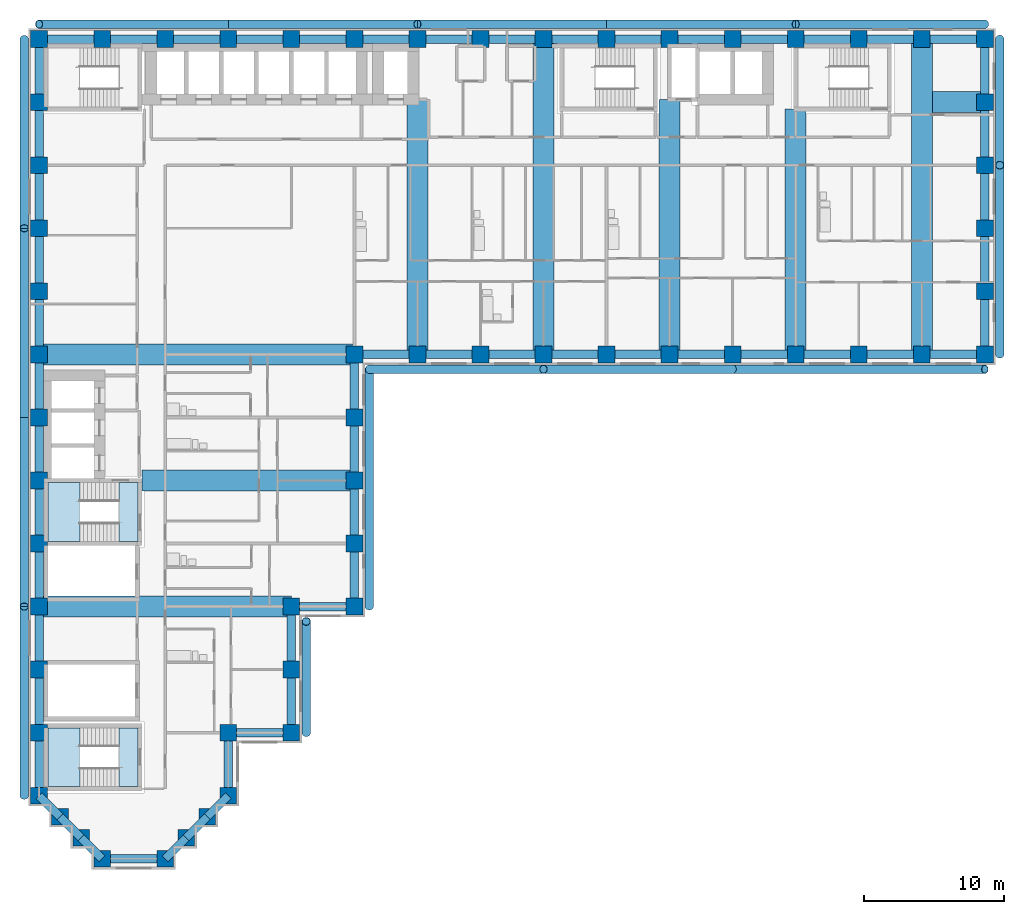
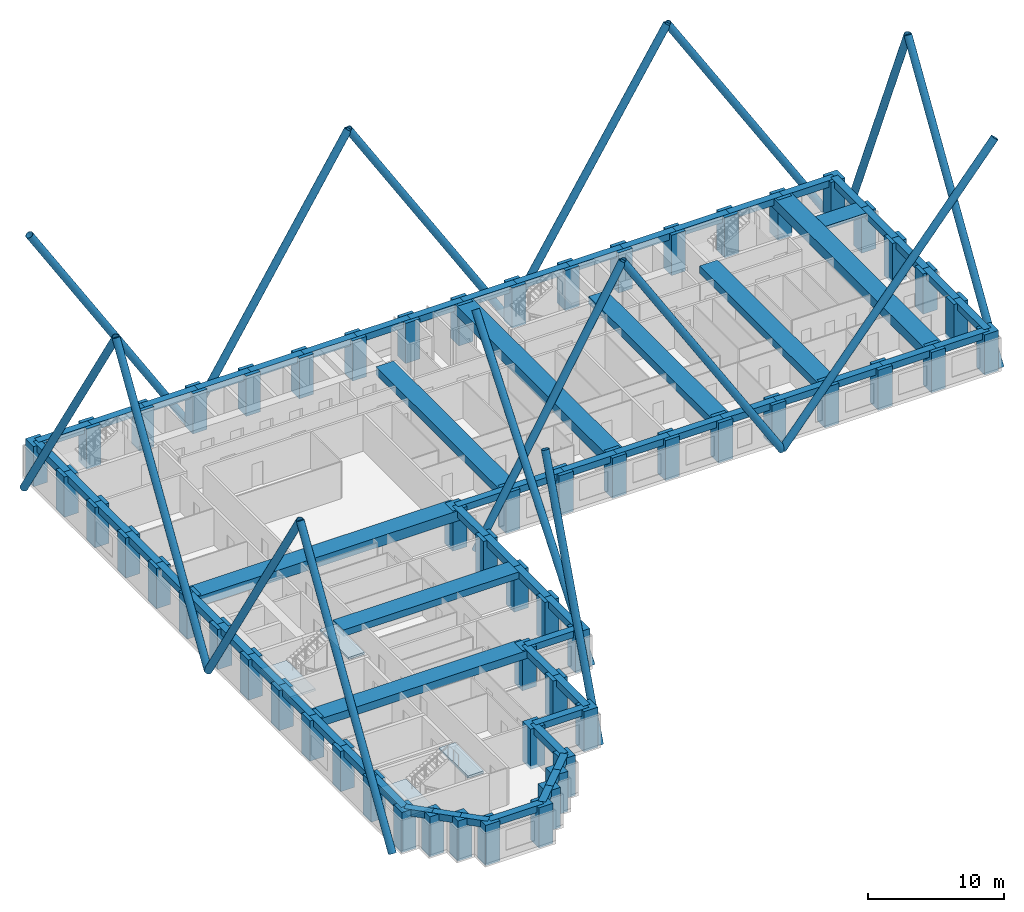
# One storey, part 1 of 13: 67 beams, 58 columns, 16 members, 4 slabs, 2 elements without a shape of their own.
"""IFC4 building model written with IfcOpenShell, lengths in metres."""

from ifc_helpers import new_model, si_unit, direction, frame, origin, origin_2d, place, context, subcontext, project, spatial, polyline, rectangle, hollow_circle, outline, extrude, material, layer, layer_set, material_profile, profile_set, type_object, element, aggregate, save


model = new_model("IFC4")

# Units and contexts
model_context = context("Model", 3, precision=1e-05, world=origin(), true_north=direction((0.0, 1.0)))
body_context = subcontext(model_context, "Body", "Model", "MODEL_VIEW")
ifc_project = project(units=[si_unit("LENGTHUNIT", "METRE"), si_unit("AREAUNIT", "SQUARE_METRE"), si_unit("VOLUMEUNIT", "CUBIC_METRE"), si_unit("PLANEANGLEUNIT", "RADIAN"), si_unit("MASSUNIT", "GRAM", prefix="KILO")], contexts=[model_context])

# Site, building, storey
site_placement = place(None, origin())
site = spatial("IfcSite", under=ifc_project, at=site_placement, CompositionType="ELEMENT")
building_placement = place(site_placement, origin())
building = spatial("IfcBuilding", under=site, at=building_placement, Name="Firuza Court", CompositionType="ELEMENT")
storey_placement = place(building_placement, frame((0.0, 0.0, 50.60009765625)))
storey = spatial("IfcBuildingStorey", under=building, at=storey_placement, Name="L11", CompositionType="ELEMENT", Elevation=50.60009765625)

# Columns
ifc_material_1 = material(Name="Concrete C70/85", Category="concrete")
ifc_material_profile_1 = material_profile(ifc_material_1, rectangle(XDim=1.199951171875, YDim=1.199951171875, at=origin_2d()), Name="RC 1200x1200")
ifc_profile_set_1 = profile_set([ifc_material_profile_1], Name="Concrete C70/85")
column_type = type_object("IfcColumnType", Name="Tube column RC 1200x1200 C70/85", PredefinedType="COLUMN", material=ifc_profile_set_1)
for number, where, z_axis, x_axis, name in (
    (1, (4.5, 0.0, -0.300048828125), (0.0, 0.0, 1.0), (1.0, 0.0, 0.0), "Column C-2D L11"),
    (2, (9.0, 0.0, -0.300048828125), (0.0, 0.0, 1.0), (1.0, 0.0, 0.0), "Column C-3D L11"),
    (3, (3.0, 1.5, -0.300048828125), (0.0, 0.0, 1.0), (1.0, 0.0, 0.0), "Column C-SA1 L11"),
    (4, (10.5, 1.5, -0.300048828125), (0.0, 0.0, 1.0), (1.0, 0.0, 0.0), "Column C-SA2 L11"),
    (5, (1.5, 3.0, -0.300048828125), (0.0, 0.0, 1.0), (1.0, 0.0, 0.0), "Column C-SA3 L11"),
    (6, (12.0, 3.0, -0.300048828125), (0.0, 0.0, 1.0), (1.0, 0.0, 0.0), "Column C-SA4 L11"),
    (7, (0.0, 4.5, -0.300048828125), (0.0, 0.0, 1.0), (1.0, 0.0, 0.0), "Column C-1E L11"),
    (8, (13.5, 4.5, -0.300048828125), (0.0, 0.0, 1.0), (1.0, 0.0, 0.0), "Column C-4E L11"),
    (9, (0.0, 9.0, -0.300048828125), (0.0, 0.0, 1.0), (1.0, 0.0, 0.0), "Column C-1F L11"),
    (10, (13.5, 9.0, -0.300048828125), (0.0, 0.0, 1.0), (1.0, 0.0, 0.0), "Column C-4F L11"),
    (11, (18.0, 9.0, -0.300048828125), (0.0, 0.0, 1.0), (1.0, 0.0, 0.0), "Column C-5F L11"),
    (12, (0.0, 13.5, -0.300048828125), (0.0, 0.0, 1.0), (1.0, 0.0, 0.0), "Column C-1G L11"),
    (13, (18.0, 13.5, -0.300048828125), (0.0, 0.0, 1.0), (1.0, 0.0, 0.0), "Column C-5G L11"),
    (14, (0.0, 18.0, -0.300048828125), (0.0, 0.0, 1.0), (1.0, 0.0, 0.0), "Column C-1H L11"),
    (15, (18.0, 18.0, -0.300048828125), (0.0, 0.0, 1.0), (1.0, 0.0, 0.0), "Column C-5H L11"),
    (16, (22.5, 18.0, -0.300048828125), (0.0, 0.0, 1.0), (1.0, 0.0, 0.0), "Column C-6H L11"),
    (17, (0.0, 22.5, -0.300048828125), (0.0, 0.0, 1.0), (1.0, 0.0, 0.0), "Column C-1J L11"),
    (18, (22.5, 22.5, -0.300048828125), (0.0, 0.0, 1.0), (1.0, 0.0, 0.0), "Column C-6J L11"),
    (19, (0.0, 27.0, -0.300048828125), (0.0, 0.0, 1.0), (1.0, 0.0, 0.0), "Column C-1K L11"),
    (20, (22.5, 27.0, -0.300048828125), (0.0, 0.0, 1.0), (1.0, 0.0, 0.0), "Column C-6K L11"),
    (21, (0.0, 31.5, -0.300048828125), (0.0, 0.0, 1.0), (1.0, 0.0, 0.0), "Column C-1L L11"),
    (22, (22.5, 31.5, -0.300048828125), (0.0, 0.0, 1.0), (1.0, 0.0, 0.0), "Column C-6L L11"),
    (23, (0.0, 36.0, -0.300048828125), (0.0, 0.0, 1.0), (1.0, 0.0, 0.0), "Column C-1M L11"),
    (24, (22.5, 36.0, -0.300048828125), (0.0, 0.0, 1.0), (1.0, 0.0, 0.0), "Column C-6M L11"),
    (25, (27.0, 36.0, -0.300048828125), (0.0, 0.0, 1.0), (1.0, 0.0, 0.0), "Column C-7M L11"),
    (26, (31.5, 36.0, -0.300048828125), (0.0, 0.0, 1.0), (1.0, 0.0, 0.0), "Column C-8M L11"),
    (27, (36.0, 36.0, -0.300048828125), (0.0, 0.0, 1.0), (1.0, 0.0, 0.0), "Column C-9M L11"),
    (28, (40.5, 36.0, -0.300048828125), (0.0, 0.0, 1.0), (1.0, 0.0, 0.0), "Column C-10M L11"),
    (29, (45.0, 36.0, -0.300048828125), (0.0, 0.0, 1.0), (1.0, 0.0, 0.0), "Column C-11M L11"),
    (30, (49.5, 36.0, -0.300048828125), (0.0, 0.0, 1.0), (1.0, 0.0, 0.0), "Column C-12M L11"),
    (31, (54.0, 36.0, -0.300048828125), (0.0, 0.0, 1.0), (1.0, 0.0, 0.0), "Column C-13M L11"),
    (32, (58.5, 36.0, -0.300048828125), (0.0, 0.0, 1.0), (1.0, 0.0, 0.0), "Column C-14M L11"),
    (33, (63.0, 36.0, -0.300048828125), (0.0, 0.0, 1.0), (1.0, 0.0, 0.0), "Column C-15M L11"),
    (34, (67.5, 36.0, -0.300048828125), (0.0, 0.0, 1.0), (1.0, 0.0, 0.0), "Column C-16M L11"),
    (35, (0.0, 40.5, -0.300048828125), (0.0, 0.0, 1.0), (1.0, 0.0, 0.0), "Column C-1N L11"),
    (36, (67.5, 40.5, -0.300048828125), (0.0, 0.0, 1.0), (1.0, 0.0, 0.0), "Column C-16N L11"),
    (37, (0.0, 45.0, -0.300048828125), (0.0, 0.0, 1.0), (1.0, 0.0, 0.0), "Column C-1P L11"),
    (38, (67.5, 45.0, -0.300048828125), (0.0, 0.0, 1.0), (1.0, 0.0, 0.0), "Column C-16P L11"),
    (39, (0.0, 49.5, -0.300048828125), (0.0, 0.0, 1.0), (1.0, 0.0, 0.0), "Column C-1Q L11"),
    (40, (67.5, 49.5, -0.300048828125), (0.0, 0.0, 1.0), (1.0, 0.0, 0.0), "Column C-16Q L11"),
    (41, (0.0, 54.0, -0.300048828125), (0.0, 0.0, 1.0), (1.0, 0.0, 0.0), "Column C-1R L11"),
    (42, (67.5, 54.0, -0.300048828125), (0.0, 0.0, 1.0), (1.0, 0.0, 0.0), "Column C-16R L11"),
    (43, (0.0, 58.5, -0.300048828125), (0.0, 0.0, 1.0), (1.0, 0.0, 0.0), "Column C-1S L11"),
    (44, (4.5, 58.5, -0.300048828125), (0.0, 0.0, 1.0), (1.0, 0.0, 0.0), "Column C-2S L11"),
    (45, (9.0, 58.5, -0.300048828125), (0.0, 0.0, 1.0), (1.0, 0.0, 0.0), "Column C-3S L11"),
    (46, (13.5, 58.5, -0.300048828125), (0.0, 0.0, 1.0), (1.0, 0.0, 0.0), "Column C-4S L11"),
    (47, (18.0, 58.5, -0.300048828125), (0.0, 0.0, 1.0), (1.0, 0.0, 0.0), "Column C-5S L11"),
    (48, (22.5, 58.5, -0.300048828125), (0.0, 0.0, 1.0), (1.0, 0.0, 0.0), "Column C-6S L11"),
    (49, (27.0, 58.5, -0.300048828125), (0.0, 0.0, 1.0), (1.0, 0.0, 0.0), "Column C-7S L11"),
    (50, (31.5, 58.5, -0.300048828125), (0.0, 0.0, 1.0), (1.0, 0.0, 0.0), "Column C-8S L11"),
    (51, (36.0, 58.5, -0.300048828125), (0.0, 0.0, 1.0), (1.0, 0.0, 0.0), "Column C-9S L11"),
    (52, (40.5, 58.5, -0.300048828125), (0.0, 0.0, 1.0), (1.0, 0.0, 0.0), "Column C-10S L11"),
    (53, (45.0, 58.5, -0.300048828125), (0.0, 0.0, 1.0), (1.0, 0.0, 0.0), "Column C-11S L11"),
    (54, (49.5, 58.5, -0.300048828125), (0.0, 0.0, 1.0), (1.0, 0.0, 0.0), "Column C-12S L11"),
    (55, (54.0, 58.5, -0.300048828125), (0.0, 0.0, 1.0), (1.0, 0.0, 0.0), "Column C-13S L11"),
    (56, (58.5, 58.5, -0.300048828125), (0.0, 0.0, 1.0), (1.0, 0.0, 0.0), "Column C-14S L11"),
    (57, (63.0, 58.5, -0.300048828125), (0.0, 0.0, 1.0), (1.0, 0.0, 0.0), "Column C-15S L11"),
    (58, (67.5, 58.5, -0.300048828125), (0.0, 0.0, 1.0), (1.0, 0.0, 0.0), "Column C-16S L11"),
):
    element("IfcColumn", number, at=place(storey_placement, frame(where, z_axis=z_axis, x_axis=x_axis)), inside=storey, type_object=column_type, Name=name, PredefinedType="COLUMN", context=body_context, shape_type="SweptSolid", body=[
        extrude(rectangle(XDim=1.199951171875, YDim=1.199951171875, at=origin_2d()), origin(), (0.0, 0.0, 1.0), 3.599853515625),
    ])

# Beams
ifc_material_2 = material(Name="Concrete C40/50", Category="concrete")
ifc_material_profile_2 = material_profile(ifc_material_2, rectangle(XDim=1.5, YDim=0.300048828125, at=origin_2d()), Name="RC 1500x300")
ifc_profile_set_2 = profile_set([ifc_material_profile_2], Name="Concrete C40/50")
beam_type_1 = type_object("IfcBeamType", Name="Band beam RC 1500x300 C40/50", PredefinedType="BEAM", material=ifc_profile_set_2)
beam_1_placement = place(storey_placement, frame((67.5, 54.0, 3.14990234375), z_axis=(-1.0, 0.0, 0.0), x_axis=(0.0, -1.0, 0.0)))
element("IfcBeam", 59, at=beam_1_placement, inside=storey, type_object=beam_type_1, Name="Band beam FB6 level L12", PredefinedType="BEAM", context=body_context, shape_type="SweptSolid", body=[
    extrude(rectangle(XDim=1.5, YDim=0.300048828125, at=origin_2d()), origin(), (0.0, 0.0, 1.0), 3.75),
])
ifc_material_3 = material(Name="Concrete C40/50", Category="concrete")
ifc_material_profile_3 = material_profile(ifc_material_3, rectangle(XDim=1.5, YDim=0.60009765625, at=origin_2d()), Name="RC 1500x600")
ifc_profile_set_3 = profile_set([ifc_material_profile_3], Name="Concrete C40/50")
beam_type_2 = type_object("IfcBeamType", Name="Band beam RC 1500x600 C40/50", PredefinedType="BEAM", material=ifc_profile_set_3)
beam_2_placement = place(storey_placement, frame((22.5, 27.0, 3.0), z_axis=(-1.0, 0.0, 0.0), x_axis=(0.0, -1.0, 0.0)))
element("IfcBeam", 60, at=beam_2_placement, inside=storey, type_object=beam_type_2, Name="Band beam FB3 level L12", PredefinedType="BEAM", context=body_context, shape_type="SweptSolid", body=[
    extrude(rectangle(XDim=1.5, YDim=0.60009765625, at=origin_2d()), origin(), (0.0, 0.0, 1.0), 15.14990234375),
])
ifc_material_4 = material(Name="Concrete C40/50", Category="concrete")
ifc_material_profile_4 = material_profile(ifc_material_4, rectangle(XDim=1.5, YDim=0.699951171875, at=origin_2d()), Name="RC 1500x700")
ifc_profile_set_4 = profile_set([ifc_material_profile_4], Name="Concrete C40/50")
beam_type_3 = type_object("IfcBeamType", Name="Band beam RC 1500x700 C40/50", PredefinedType="BEAM", material=ifc_profile_set_4)
beam_3_placement = place(storey_placement, frame((0.0, 18.0, 2.949951171875), z_axis=(1.0, 0.0, 0.0), x_axis=(0.0, 1.0, 0.0)))
element("IfcBeam", 61, at=beam_3_placement, inside=storey, type_object=beam_type_3, Name="Band beam FB1 level L12", PredefinedType="BEAM", context=body_context, shape_type="SweptSolid", body=[
    extrude(rectangle(XDim=1.5, YDim=0.699951171875, at=origin_2d()), origin(), (0.0, 0.0, 1.0), 18.0),
])
for number, where, z_axis, x_axis, name in (
    (62, (27.0, 36.0, 2.949951171875), (0.0, 1.0, 0.0), (-1.0, 0.0, 0.0), "Band beam FB1 level L12"),
    (63, (45.0, 36.0, 2.949951171875), (0.0, 1.0, 0.0), (-1.0, 0.0, 0.0), "Band beam FB1 level L12"),
):
    element("IfcBeam", number, at=place(storey_placement, frame(where, z_axis=z_axis, x_axis=x_axis)), inside=storey, type_object=beam_type_3, Name=name, PredefinedType="BEAM", context=body_context, shape_type="SweptSolid", body=[
        extrude(rectangle(XDim=1.5, YDim=0.699951171875, at=origin_2d()), origin(), (0.0, 0.0, 1.0), 18.199951171875),
    ])
beam_4_placement = place(storey_placement, frame((54.0, 36.0, 2.949951171875), z_axis=(0.0, 1.0, 0.0), x_axis=(-1.0, 0.0, 0.0)))
element("IfcBeam", 64, at=beam_4_placement, inside=storey, type_object=beam_type_3, Name="Band beam FB1 level L12", PredefinedType="BEAM", context=body_context, shape_type="SweptSolid", body=[
    extrude(rectangle(XDim=1.5, YDim=0.699951171875, at=origin_2d()), origin(), (0.0, 0.0, 1.0), 17.5),
])
ifc_material_5 = material(Name="Concrete C40/50", Category="concrete")
ifc_material_profile_5 = material_profile(ifc_material_5, rectangle(XDim=1.5, YDim=0.89990234375, at=origin_2d()), Name="RC 1500x900")
ifc_profile_set_5 = profile_set([ifc_material_profile_5], Name="Concrete C40/50")
beam_type_4 = type_object("IfcBeamType", Name="Band beam RC 1500x900 C40/50", PredefinedType="BEAM", material=ifc_profile_set_5)
for number, where, z_axis, x_axis, name in (
    (65, (0.0, 36.0, 2.849853515625), (1.0, 0.0, 0.0), (0.0, 1.0, 0.0), "Band beam FB2 level L12"),
    (66, (36.0, 36.0, 2.849853515625), (0.0, 1.0, 0.0), (-1.0, 0.0, 0.0), "Band beam FB2 level L12"),
    (67, (63.0, 36.0, 2.849853515625), (0.0, 1.0, 0.0), (-1.0, 0.0, 0.0), "Band beam FB2 level L12"),
):
    element("IfcBeam", number, at=place(storey_placement, frame(where, z_axis=z_axis, x_axis=x_axis)), inside=storey, type_object=beam_type_4, Name=name, PredefinedType="BEAM", context=body_context, shape_type="SweptSolid", body=[
        extrude(rectangle(XDim=1.5, YDim=0.89990234375, at=origin_2d()), origin(), (0.0, 0.0, 1.0), 22.5),
    ])

# Members
ifc_material_6 = material(Name="Steel S355", Category="steel")
ifc_material_profile_6 = material_profile(ifc_material_6, hollow_circle(Radius=0.304931640625, WallThickness=0.02490234375, at=origin_2d()), Name="CHS 610x25")
ifc_profile_set_6 = profile_set([ifc_material_profile_6], Name="Steel S355")
member_type = type_object("IfcMemberType", Name="Diagrid diagonal CHS 610x25 S355", PredefinedType="USERDEFINED", material=ifc_profile_set_6)
member_1_placement = place(storey_placement, frame((19.06005859375, 9.0, -0.550048828125), z_axis=(0.0, 0.345020427849, 0.938595175977), x_axis=(-1.0, 0.0, 0.0)))
element("IfcMember", 68, at=member_1_placement, inside=storey, type_object=member_type, Name="Diagrid diagonal L11 to L17", ObjectType="DIAGRID", PredefinedType="USERDEFINED", context=body_context, shape_type="SweptSolid", body=[
    extrude(hollow_circle(Radius=0.304931640625, WallThickness=0.02490234375, at=origin_2d()), origin(), (0.0, 0.0, 1.0), 23.012939453125),
])
member_2_placement = place(storey_placement, frame((23.56005859375, 18.0, -0.550048828125), z_axis=(0.0, 0.617114669394, 0.786873233005), x_axis=(-1.0, 0.0, 0.0)))
element("IfcMember", 69, at=member_2_placement, inside=storey, type_object=member_type, Name="Diagrid diagonal L11 to L17", ObjectType="DIAGRID", PredefinedType="USERDEFINED", context=body_context, shape_type="SweptSolid", body=[
    extrude(hollow_circle(Radius=0.304931640625, WallThickness=0.02490234375, at=origin_2d()), origin(), (0.0, 0.0, 1.0), 27.4501953125),
])
member_3_placement = place(storey_placement, frame((23.56005859375, 34.93994140625, -0.550048828125), z_axis=(0.49907478222, 0.0, 0.866558919954), x_axis=(0.0, 1.0, 0.0)))
element("IfcMember", 70, at=member_3_placement, inside=storey, type_object=member_type, Name="Diagrid diagonal L11 to L17", ObjectType="DIAGRID", PredefinedType="USERDEFINED", context=body_context, shape_type="SweptSolid", body=[
    extrude(hollow_circle(Radius=0.304931640625, WallThickness=0.02490234375, at=origin_2d()), origin(), (0.0, 0.0, 1.0), 24.926025390625),
])
member_4_placement = place(storey_placement, frame((49.5, 34.93994140625, -0.550048828125), z_axis=(-0.530001524668, 0.0, 0.847996688584), x_axis=(0.0, -1.0, 0.0)))
element("IfcMember", 71, at=member_4_placement, inside=storey, type_object=member_type, Name="Diagrid diagonal L11 to L17", ObjectType="DIAGRID", PredefinedType="USERDEFINED", context=body_context, shape_type="SweptSolid", body=[
    extrude(hollow_circle(Radius=0.304931640625, WallThickness=0.02490234375, at=origin_2d()), origin(), (0.0, 0.0, 1.0), 25.4716796875),
])
member_5_placement = place(storey_placement, frame((49.5, 34.93994140625, -0.550048828125), z_axis=(0.640186961885, 0.0, 0.768219144407), x_axis=(0.0, 1.0, 0.0)))
element("IfcMember", 72, at=member_5_placement, inside=storey, type_object=member_type, Name="Diagrid diagonal L11 to L17", ObjectType="DIAGRID", PredefinedType="USERDEFINED", context=body_context, shape_type="SweptSolid", body=[
    extrude(hollow_circle(Radius=0.304931640625, WallThickness=0.02490234375, at=origin_2d()), origin(), (0.0, 0.0, 1.0), 28.11669921875),
])
member_6_placement = place(storey_placement, frame((68.56005859375, 36.0, -0.550048828125), z_axis=(0.0, 0.530001524668, 0.847996688584), x_axis=(-1.0, 0.0, 0.0)))
element("IfcMember", 73, at=member_6_placement, inside=storey, type_object=member_type, Name="Diagrid diagonal L11 to L17", ObjectType="DIAGRID", PredefinedType="USERDEFINED", context=body_context, shape_type="SweptSolid", body=[
    extrude(hollow_circle(Radius=0.304931640625, WallThickness=0.02490234375, at=origin_2d()), origin(), (0.0, 0.0, 1.0), 25.4716796875),
])
member_7_placement = place(storey_placement, frame((68.56005859375, 58.5, -0.550048828125), z_axis=(0.0, -0.384617607118, 0.923075997031), x_axis=(1.0, 0.0, 0.0)))
element("IfcMember", 74, at=member_7_placement, inside=storey, type_object=member_type, Name="Diagrid diagonal L11 to L17", ObjectType="DIAGRID", PredefinedType="USERDEFINED", context=body_context, shape_type="SweptSolid", body=[
    extrude(hollow_circle(Radius=0.304931640625, WallThickness=0.02490234375, at=origin_2d()), origin(), (0.0, 0.0, 1.0), 23.39990234375),
])
for number, where, z_axis, x_axis, name in (
    (75, (67.5, 59.56005859375, -0.550048828125), (-0.530001524668, 0.0, 0.847996688584), (0.0, -1.0, 0.0), "Diagrid diagonal L11 to L17"),
    (76, (40.5, 59.56005859375, -0.550048828125), (0.530001524668, 0.0, 0.847996688584), (0.0, 1.0, 0.0), "Diagrid diagonal L11 to L17"),
    (77, (40.5, 59.56005859375, -0.550048828125), (-0.530001524668, 0.0, 0.847996688584), (0.0, -1.0, 0.0), "Diagrid diagonal L11 to L17"),
    (78, (13.5, 59.56005859375, -0.550048828125), (0.530001524668, 0.0, 0.847996688584), (0.0, 1.0, 0.0), "Diagrid diagonal L11 to L17"),
    (79, (13.5, 59.56005859375, -0.550048828125), (-0.530001524668, 0.0, 0.847996688584), (0.0, -1.0, 0.0), "Diagrid diagonal L11 to L17"),
    (80, (-1.06005859375, 58.5, -0.550048828125), (0.0, -0.530001524668, 0.847996688584), (1.0, 0.0, 0.0), "Diagrid diagonal L11 to L17"),
    (81, (-1.06005859375, 31.5, -0.550048828125), (0.0, 0.530001524668, 0.847996688584), (-1.0, 0.0, 0.0), "Diagrid diagonal L11 to L17"),
    (82, (-1.06005859375, 31.5, -0.550048828125), (0.0, -0.530001524668, 0.847996688584), (1.0, 0.0, 0.0), "Diagrid diagonal L11 to L17"),
    (83, (-1.06005859375, 4.5, -0.550048828125), (0.0, 0.530001524668, 0.847996688584), (-1.0, 0.0, 0.0), "Diagrid diagonal L11 to L17"),
):
    element("IfcMember", number, at=place(storey_placement, frame(where, z_axis=z_axis, x_axis=x_axis)), inside=storey, type_object=member_type, Name=name, ObjectType="DIAGRID", PredefinedType="USERDEFINED", context=body_context, shape_type="SweptSolid", body=[
        extrude(hollow_circle(Radius=0.304931640625, WallThickness=0.02490234375, at=origin_2d()), origin(), (0.0, 0.0, 1.0), 25.4716796875),
    ])

# Beams
ifc_material_7 = material(Name="Concrete C40/50", Category="concrete")
ifc_material_profile_7 = material_profile(ifc_material_7, rectangle(XDim=0.60009765625, YDim=0.60009765625, at=origin_2d()), Name="RC 600x600")
ifc_profile_set_7 = profile_set([ifc_material_profile_7], Name="Concrete C40/50")
beam_type_5 = type_object("IfcBeamType", Name="Spandrel beam RC 600x600 C40/50", PredefinedType="BEAM", material=ifc_profile_set_7)
beam_5_placement = place(storey_placement, frame((0.0, 4.5, 3.0), z_axis=(0.707106781187, -0.707106781187, 0.0), x_axis=(0.707106781187, 0.707106781187, 0.0)))
element("IfcBeam", 84, at=beam_5_placement, inside=storey, type_object=beam_type_5, Name="Spandrel beam SP11 level L12", PredefinedType="BEAM", context=body_context, shape_type="SweptSolid", body=[
    extrude(rectangle(XDim=0.60009765625, YDim=0.60009765625, at=origin_2d()), origin(), (0.0, 0.0, 1.0), 2.121337890625),
])
for number, where, z_axis, x_axis, name in (
    (85, (0.0, 9.0, 3.0), (0.0, -1.0, 0.0), (1.0, 0.0, 0.0), "Spandrel beam SP11 level L12"),
    (86, (0.0, 13.5, 3.0), (0.0, -1.0, 0.0), (1.0, 0.0, 0.0), "Spandrel beam SP11 level L12"),
    (87, (0.0, 18.0, 3.0), (0.0, -1.0, 0.0), (1.0, 0.0, 0.0), "Spandrel beam SP11 level L12"),
    (88, (0.0, 22.5, 3.0), (0.0, -1.0, 0.0), (1.0, 0.0, 0.0), "Spandrel beam SP11 level L12"),
    (89, (0.0, 27.0, 3.0), (0.0, -1.0, 0.0), (1.0, 0.0, 0.0), "Spandrel beam SP11 level L12"),
    (90, (0.0, 31.5, 3.0), (0.0, -1.0, 0.0), (1.0, 0.0, 0.0), "Spandrel beam SP11 level L12"),
    (91, (0.0, 36.0, 3.0), (0.0, -1.0, 0.0), (1.0, 0.0, 0.0), "Spandrel beam SP11 level L12"),
    (92, (0.0, 40.5, 3.0), (0.0, -1.0, 0.0), (1.0, 0.0, 0.0), "Spandrel beam SP11 level L12"),
    (93, (0.0, 45.0, 3.0), (0.0, -1.0, 0.0), (1.0, 0.0, 0.0), "Spandrel beam SP11 level L12"),
    (94, (0.0, 49.5, 3.0), (0.0, -1.0, 0.0), (1.0, 0.0, 0.0), "Spandrel beam SP11 level L12"),
    (95, (0.0, 54.0, 3.0), (0.0, -1.0, 0.0), (1.0, 0.0, 0.0), "Spandrel beam SP11 level L12"),
    (96, (0.0, 58.5, 3.0), (0.0, -1.0, 0.0), (1.0, 0.0, 0.0), "Spandrel beam SP11 level L12"),
):
    element("IfcBeam", number, at=place(storey_placement, frame(where, z_axis=z_axis, x_axis=x_axis)), inside=storey, type_object=beam_type_5, Name=name, PredefinedType="BEAM", context=body_context, shape_type="SweptSolid", body=[
        extrude(rectangle(XDim=0.60009765625, YDim=0.60009765625, at=origin_2d()), origin(), (0.0, 0.0, 1.0), 4.5),
    ])
for number, where, z_axis, x_axis, name in (
    (97, (1.5, 3.0, 3.0), (0.707106781187, -0.707106781187, 0.0), (0.707106781187, 0.707106781187, 0.0), "Spandrel beam SP11 level L12"),
    (98, (3.0, 1.5, 3.0), (0.707106781187, -0.707106781187, 0.0), (0.707106781187, 0.707106781187, 0.0), "Spandrel beam SP11 level L12"),
):
    element("IfcBeam", number, at=place(storey_placement, frame(where, z_axis=z_axis, x_axis=x_axis)), inside=storey, type_object=beam_type_5, Name=name, PredefinedType="BEAM", context=body_context, shape_type="SweptSolid", body=[
        extrude(rectangle(XDim=0.60009765625, YDim=0.60009765625, at=origin_2d()), origin(), (0.0, 0.0, 1.0), 2.121337890625),
    ])
for number, where, z_axis, x_axis, name in (
    (99, (4.5, 0.0, 3.0), (1.0, 0.0, 0.0), (0.0, 1.0, 0.0), "Spandrel beam SP11 level L12"),
    (100, (4.5, 58.5, 3.0), (-1.0, 0.0, 0.0), (0.0, -1.0, 0.0), "Spandrel beam SP11 level L12"),
):
    element("IfcBeam", number, at=place(storey_placement, frame(where, z_axis=z_axis, x_axis=x_axis)), inside=storey, type_object=beam_type_5, Name=name, PredefinedType="BEAM", context=body_context, shape_type="SweptSolid", body=[
        extrude(rectangle(XDim=0.60009765625, YDim=0.60009765625, at=origin_2d()), origin(), (0.0, 0.0, 1.0), 4.5),
    ])
beam_6_placement = place(storey_placement, frame((9.0, 0.0, 3.0), z_axis=(0.707106781187, 0.707106781187, 0.0), x_axis=(-0.707106781187, 0.707106781187, 0.0)))
element("IfcBeam", 101, at=beam_6_placement, inside=storey, type_object=beam_type_5, Name="Spandrel beam SP11 level L12", PredefinedType="BEAM", context=body_context, shape_type="SweptSolid", body=[
    extrude(rectangle(XDim=0.60009765625, YDim=0.60009765625, at=origin_2d()), origin(), (0.0, 0.0, 1.0), 2.121337890625),
])
beam_7_placement = place(storey_placement, frame((9.0, 58.5, 3.0), z_axis=(-1.0, 0.0, 0.0), x_axis=(0.0, -1.0, 0.0)))
element("IfcBeam", 102, at=beam_7_placement, inside=storey, type_object=beam_type_5, Name="Spandrel beam SP11 level L12", PredefinedType="BEAM", context=body_context, shape_type="SweptSolid", body=[
    extrude(rectangle(XDim=0.60009765625, YDim=0.60009765625, at=origin_2d()), origin(), (0.0, 0.0, 1.0), 4.5),
])
for number, where, z_axis, x_axis, name in (
    (103, (10.5, 1.5, 3.0), (0.707106781187, 0.707106781187, 0.0), (-0.707106781187, 0.707106781187, 0.0), "Spandrel beam SP11 level L12"),
    (104, (12.0, 3.0, 3.0), (0.707106781187, 0.707106781187, 0.0), (-0.707106781187, 0.707106781187, 0.0), "Spandrel beam SP11 level L12"),
):
    element("IfcBeam", number, at=place(storey_placement, frame(where, z_axis=z_axis, x_axis=x_axis)), inside=storey, type_object=beam_type_5, Name=name, PredefinedType="BEAM", context=body_context, shape_type="SweptSolid", body=[
        extrude(rectangle(XDim=0.60009765625, YDim=0.60009765625, at=origin_2d()), origin(), (0.0, 0.0, 1.0), 2.121337890625),
    ])
for number, where, z_axis, x_axis, name in (
    (105, (13.5, 4.5, 3.0), (0.0, 1.0, 0.0), (-1.0, 0.0, 0.0), "Spandrel beam SP11 level L12"),
    (106, (13.5, 9.0, 3.0), (1.0, 0.0, 0.0), (0.0, 1.0, 0.0), "Spandrel beam SP11 level L12"),
    (107, (13.5, 58.5, 3.0), (-1.0, 0.0, 0.0), (0.0, -1.0, 0.0), "Spandrel beam SP11 level L12"),
    (108, (18.0, 9.0, 3.0), (0.0, 1.0, 0.0), (-1.0, 0.0, 0.0), "Spandrel beam SP11 level L12"),
    (109, (18.0, 13.5, 3.0), (0.0, 1.0, 0.0), (-1.0, 0.0, 0.0), "Spandrel beam SP11 level L12"),
    (110, (18.0, 18.0, 3.0), (1.0, 0.0, 0.0), (0.0, 1.0, 0.0), "Spandrel beam SP11 level L12"),
    (111, (18.0, 58.5, 3.0), (-1.0, 0.0, 0.0), (0.0, -1.0, 0.0), "Spandrel beam SP11 level L12"),
    (112, (22.5, 18.0, 3.0), (0.0, 1.0, 0.0), (-1.0, 0.0, 0.0), "Spandrel beam SP11 level L12"),
    (113, (22.5, 22.5, 3.0), (0.0, 1.0, 0.0), (-1.0, 0.0, 0.0), "Spandrel beam SP11 level L12"),
    (114, (22.5, 27.0, 3.0), (0.0, 1.0, 0.0), (-1.0, 0.0, 0.0), "Spandrel beam SP11 level L12"),
    (115, (22.5, 31.5, 3.0), (0.0, 1.0, 0.0), (-1.0, 0.0, 0.0), "Spandrel beam SP11 level L12"),
    (116, (22.5, 36.0, 3.0), (1.0, 0.0, 0.0), (0.0, 1.0, 0.0), "Spandrel beam SP11 level L12"),
    (117, (22.5, 58.5, 3.0), (-1.0, 0.0, 0.0), (0.0, -1.0, 0.0), "Spandrel beam SP11 level L12"),
    (118, (27.0, 36.0, 3.0), (1.0, 0.0, 0.0), (0.0, 1.0, 0.0), "Spandrel beam SP11 level L12"),
    (119, (27.0, 58.5, 3.0), (-1.0, 0.0, 0.0), (0.0, -1.0, 0.0), "Spandrel beam SP11 level L12"),
    (120, (31.5, 36.0, 3.0), (1.0, 0.0, 0.0), (0.0, 1.0, 0.0), "Spandrel beam SP11 level L12"),
    (121, (31.5, 58.5, 3.0), (-1.0, 0.0, 0.0), (0.0, -1.0, 0.0), "Spandrel beam SP11 level L12"),
    (122, (36.0, 36.0, 3.0), (1.0, 0.0, 0.0), (0.0, 1.0, 0.0), "Spandrel beam SP11 level L12"),
    (123, (36.0, 58.5, 3.0), (-1.0, 0.0, 0.0), (0.0, -1.0, 0.0), "Spandrel beam SP11 level L12"),
    (124, (40.5, 36.0, 3.0), (1.0, 0.0, 0.0), (0.0, 1.0, 0.0), "Spandrel beam SP11 level L12"),
    (125, (40.5, 58.5, 3.0), (-1.0, 0.0, 0.0), (0.0, -1.0, 0.0), "Spandrel beam SP11 level L12"),
    (126, (45.0, 36.0, 3.0), (1.0, 0.0, 0.0), (0.0, 1.0, 0.0), "Spandrel beam SP11 level L12"),
    (127, (45.0, 58.5, 3.0), (-1.0, 0.0, 0.0), (0.0, -1.0, 0.0), "Spandrel beam SP11 level L12"),
    (128, (49.5, 36.0, 3.0), (1.0, 0.0, 0.0), (0.0, 1.0, 0.0), "Spandrel beam SP11 level L12"),
    (129, (49.5, 58.5, 3.0), (-1.0, 0.0, 0.0), (0.0, -1.0, 0.0), "Spandrel beam SP11 level L12"),
    (130, (54.0, 36.0, 3.0), (1.0, 0.0, 0.0), (0.0, 1.0, 0.0), "Spandrel beam SP11 level L12"),
    (131, (54.0, 58.5, 3.0), (-1.0, 0.0, 0.0), (0.0, -1.0, 0.0), "Spandrel beam SP11 level L12"),
    (132, (58.5, 36.0, 3.0), (1.0, 0.0, 0.0), (0.0, 1.0, 0.0), "Spandrel beam SP11 level L12"),
    (133, (58.5, 58.5, 3.0), (-1.0, 0.0, 0.0), (0.0, -1.0, 0.0), "Spandrel beam SP11 level L12"),
    (134, (63.0, 36.0, 3.0), (1.0, 0.0, 0.0), (0.0, 1.0, 0.0), "Spandrel beam SP11 level L12"),
    (135, (63.0, 58.5, 3.0), (-1.0, 0.0, 0.0), (0.0, -1.0, 0.0), "Spandrel beam SP11 level L12"),
    (136, (67.5, 36.0, 3.0), (0.0, 1.0, 0.0), (-1.0, 0.0, 0.0), "Spandrel beam SP11 level L12"),
    (137, (67.5, 40.5, 3.0), (0.0, 1.0, 0.0), (-1.0, 0.0, 0.0), "Spandrel beam SP11 level L12"),
    (138, (67.5, 45.0, 3.0), (0.0, 1.0, 0.0), (-1.0, 0.0, 0.0), "Spandrel beam SP11 level L12"),
    (139, (67.5, 49.5, 3.0), (0.0, 1.0, 0.0), (-1.0, 0.0, 0.0), "Spandrel beam SP11 level L12"),
    (140, (67.5, 54.0, 3.0), (0.0, 1.0, 0.0), (-1.0, 0.0, 0.0), "Spandrel beam SP11 level L12"),
    (141, (67.5, 58.5, 3.0), (-1.0, 0.0, 0.0), (0.0, -1.0, 0.0), "Spandrel beam SP11 level L12"),
):
    element("IfcBeam", number, at=place(storey_placement, frame(where, z_axis=z_axis, x_axis=x_axis)), inside=storey, type_object=beam_type_5, Name=name, PredefinedType="BEAM", context=body_context, shape_type="SweptSolid", body=[
        extrude(rectangle(XDim=0.60009765625, YDim=0.60009765625, at=origin_2d()), origin(), (0.0, 0.0, 1.0), 4.5),
    ])

# Stair, slabs
ifc_material_8 = material(Name="Concrete C40/50 precast", Category="concrete")
stair_type = type_object("IfcStairType", Name="Stair 1350 x 3600 2 flights", PredefinedType="HALF_TURN_STAIR", material=ifc_material_8)
stair_1_placement = place(storey_placement, origin())
stair_1 = element("IfcStair", 142, at=stair_1_placement, inside=storey, type_object=stair_type, Name="Stair 2 L11", PredefinedType="HALF_TURN_STAIR")
ifc_material_9 = material(Name="Concrete C40/50 precast", Category="concrete")
ifc_layer = layer(ifc_material_9, 0.199951171875)
ifc_layer_set = layer_set([ifc_layer], Name="Concrete C40/50 precast")
slab_type = type_object("IfcSlabType", Name="Stair landing 200", PredefinedType="LANDING", material=ifc_layer_set)
slab_1_placement = place(storey_placement, frame((0.0, 0.0, 1.599853515625)))
slab_1 = element("IfcSlab", 143, at=slab_1_placement, type_object=slab_type, Name="S2 landing 1", PredefinedType="LANDING", context=body_context, shape_type="SweptSolid", body=[
    extrude(outline(polyline([(2.89990234375, 22.64990234375), (2.89990234375, 26.85009765625), (0.64990234375, 26.85009765625), (0.64990234375, 22.64990234375), (2.89990234375, 22.64990234375)])), origin(), (0.0, 0.0, 1.0), 0.199951171875),
])
slab_2_placement = place(storey_placement, frame((0.0, 0.0, 3.39990234375)))
slab_2 = element("IfcSlab", 144, at=slab_2_placement, type_object=slab_type, Name="S2 landing 2", PredefinedType="LANDING", context=body_context, shape_type="SweptSolid", body=[
    extrude(outline(polyline([(7.050048828125, 22.64990234375), (7.050048828125, 26.85009765625), (5.699951171875, 26.85009765625), (5.699951171875, 22.64990234375), (7.050048828125, 22.64990234375)])), origin(), (0.0, 0.0, 1.0), 0.199951171875),
])
aggregate(stair_1, [slab_1, slab_2])

stair_2_placement = place(storey_placement, origin())
stair_2 = element("IfcStair", 145, at=stair_2_placement, inside=storey, type_object=stair_type, Name="Stair 5 L11", PredefinedType="HALF_TURN_STAIR")
slab_3_placement = place(storey_placement, frame((0.0, 0.0, 1.599853515625)))
slab_3 = element("IfcSlab", 146, at=slab_3_placement, type_object=slab_type, Name="S5 landing 1", PredefinedType="LANDING", context=body_context, shape_type="SweptSolid", body=[
    extrude(outline(polyline([(2.89990234375, 5.14990234375), (2.89990234375, 9.35009765625), (0.64990234375, 9.35009765625), (0.64990234375, 5.14990234375), (2.89990234375, 5.14990234375)])), origin(), (0.0, 0.0, 1.0), 0.199951171875),
])
slab_4_placement = place(storey_placement, frame((0.0, 0.0, 3.39990234375)))
slab_4 = element("IfcSlab", 147, at=slab_4_placement, type_object=slab_type, Name="S5 landing 2", PredefinedType="LANDING", context=body_context, shape_type="SweptSolid", body=[
    extrude(outline(polyline([(7.050048828125, 5.14990234375), (7.050048828125, 9.35009765625), (5.699951171875, 9.35009765625), (5.699951171875, 5.14990234375), (7.050048828125, 5.14990234375)])), origin(), (0.0, 0.0, 1.0), 0.199951171875),
])
aggregate(stair_2, [slab_3, slab_4])

save(model, "model.ifc")
